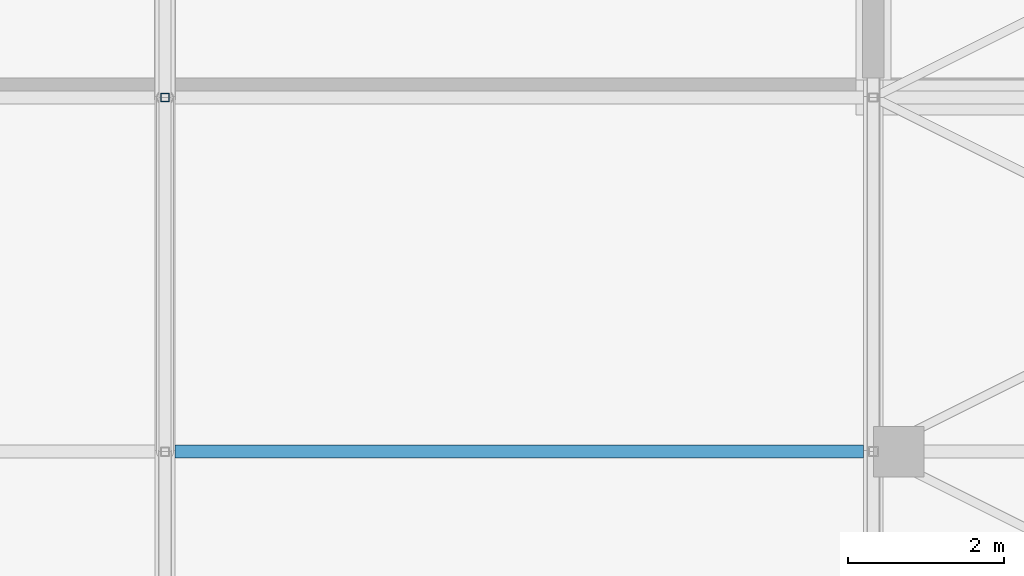
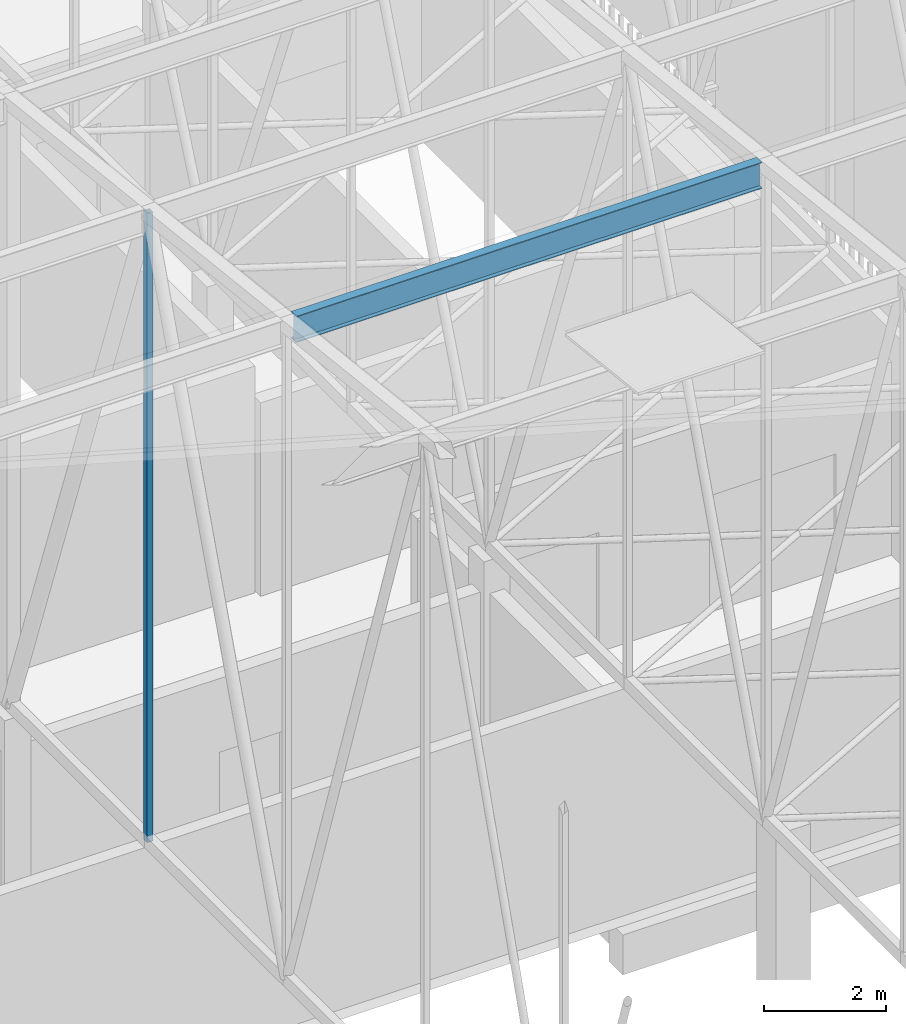
# One storey, part 371 of 500: 2 members.
"""IFC4 building model written with IfcOpenShell, lengths in metres."""

from ifc_helpers import new_model, si_unit, direction, frame, origin, origin_2d, place, context, subcontext, project, spatial, hollow_rectangle, i_section, extrude, material, material_profile, profile_set, type_object, element, save


model = new_model("IFC4")

# Units and contexts
model_context = context("Model", 3, precision=1e-05, world=origin(), true_north=direction((0.0, 1.0)))
body_context = subcontext(model_context, "Body", "Model", "MODEL_VIEW")
ifc_project = project(units=[si_unit("LENGTHUNIT", "METRE"), si_unit("AREAUNIT", "SQUARE_METRE"), si_unit("VOLUMEUNIT", "CUBIC_METRE"), si_unit("PLANEANGLEUNIT", "RADIAN"), si_unit("MASSUNIT", "GRAM", prefix="KILO")], contexts=[model_context])

# Site, building, storey
site_placement = place(None, origin())
site = spatial("IfcSite", under=ifc_project, at=site_placement, CompositionType="ELEMENT")
building_placement = place(site_placement, origin())
building = spatial("IfcBuilding", under=site, at=building_placement, Name="Shirokan Park Arena", CompositionType="ELEMENT")
storey_placement = place(building_placement, frame((0.0, 0.0, 29.1201171875)))
storey = spatial("IfcBuildingStorey", under=building, at=storey_placement, Name="L06", CompositionType="ELEMENT", Elevation=29.1201171875)

# Members
ifc_material_1 = material(Name="Steel ASTM A992", Category="steel")
ifc_material_profile_1 = material_profile(ifc_material_1, i_section(OverallWidth=0.166015625, OverallDepth=0.528076171875, WebThickness=0.009765625, FlangeThickness=0.013671875, at=origin_2d()), Name="W530X74")
ifc_profile_set_1 = profile_set([ifc_material_profile_1], Name="Steel ASTM A992")
member_type_1 = type_object("IfcMemberType", Name="Purlin W530X74", PredefinedType="PURLIN", material=ifc_profile_set_1)
member_1_placement = place(storey_placement, frame((127.527099609375, 63.699951171875, 17.685791015625), z_axis=(1.0, 0.0, 0.0), x_axis=(0.0, 1.0, 0.0)))
element("IfcMember", 1, at=member_1_placement, inside=storey, type_object=member_type_1, Name="Purlin 17 bay 15", PredefinedType="PURLIN", context=body_context, shape_type="SweptSolid", body=[
    extrude(i_section(OverallWidth=0.166015625, OverallDepth=0.528076171875, WebThickness=0.009765625, FlangeThickness=0.013671875, at=origin_2d()), origin(), (0.0, 0.0, 1.0), 8.845947265625),
])
ifc_material_2 = material(Name="Steel ASTM A500 Grade C", Category="steel")
ifc_material_profile_2 = material_profile(ifc_material_2, hollow_rectangle(XDim=0.114013671875, YDim=0.114013671875, WallThickness=0.00634765625, at=origin_2d()), Name="HSS114.3X114.3X6.4")
ifc_profile_set_2 = profile_set([ifc_material_profile_2], Name="Steel ASTM A500 Grade C")
member_type_2 = type_object("IfcMemberType", Name="Truss post HSS114.3X114.3X6.4", PredefinedType="POST", material=ifc_profile_set_2)
member_2_placement = place(storey_placement, frame((127.39990234375, 68.25, 4.677001953125), z_axis=(0.0, 0.0, 1.0), x_axis=(1.0, 0.0, 0.0)))
element("IfcMember", 2, at=member_2_placement, inside=storey, type_object=member_type_2, Name="Truss T15 post 18", PredefinedType="POST", context=body_context, shape_type="SweptSolid", body=[
    extrude(hollow_rectangle(XDim=0.114013671875, YDim=0.114013671875, WallThickness=0.00634765625, at=origin_2d()), origin(), (0.0, 0.0, 1.0), 12.6259765625),
])

save(model, "model.ifc")
